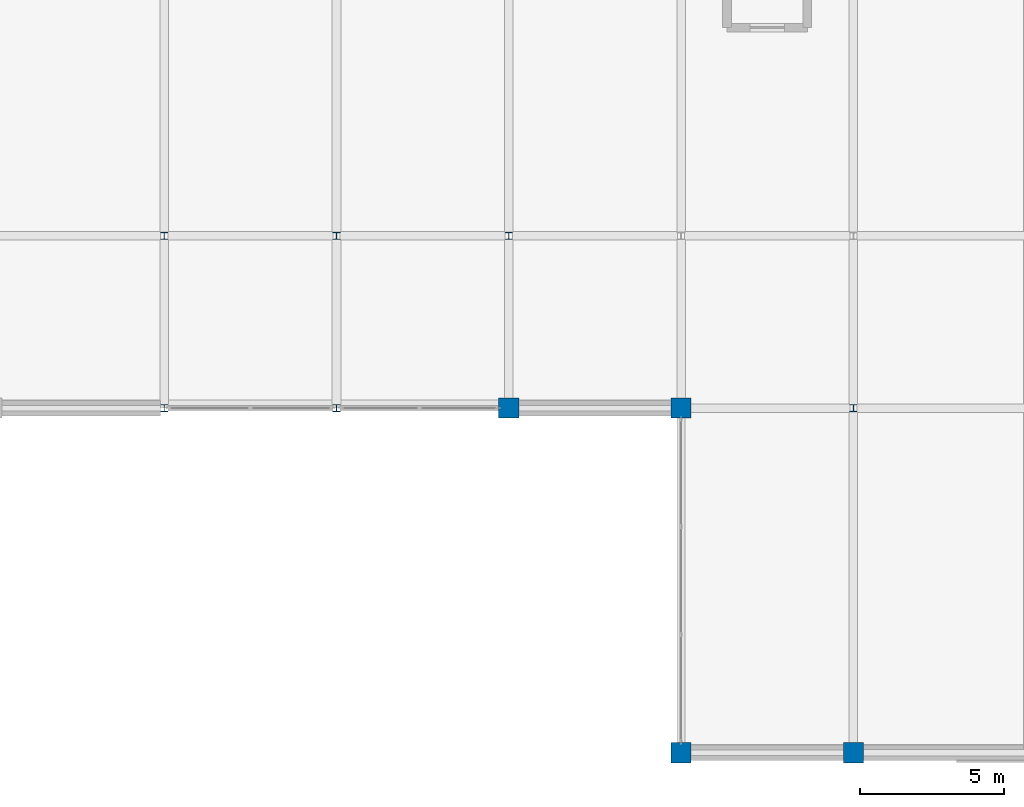
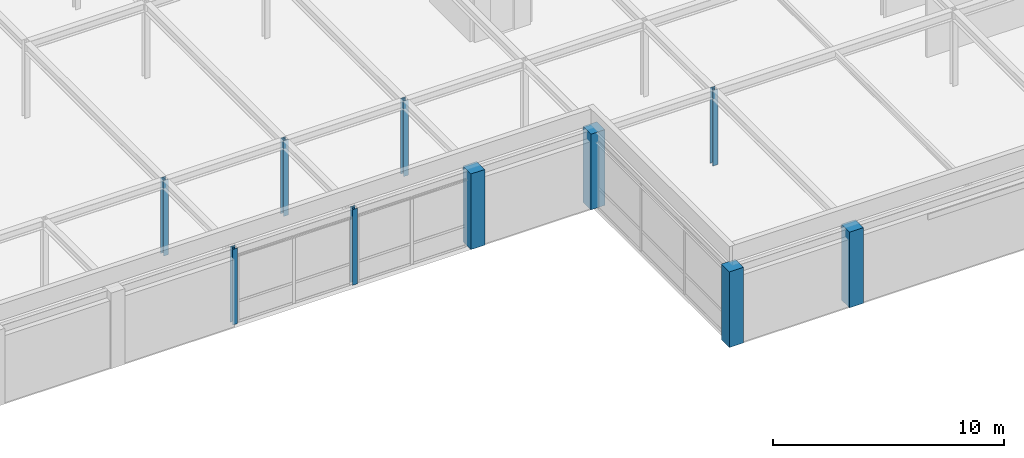
# One storey, part 8 of 111: 10 columns.
"""IFC4 building model written with IfcOpenShell, lengths in metres."""

from ifc_helpers import new_model, si_unit, direction, frame, origin, origin_2d, place, context, subcontext, project, spatial, rectangle, i_section, extrude, material, material_profile, profile_set, type_object, element, save


model = new_model("IFC4")

# Units and contexts
model_context = context("Model", 3, precision=1e-05, world=origin(), true_north=direction((0.0, 1.0)))
body_context = subcontext(model_context, "Body", "Model", "MODEL_VIEW")
ifc_project = project(units=[si_unit("LENGTHUNIT", "METRE"), si_unit("AREAUNIT", "SQUARE_METRE"), si_unit("VOLUMEUNIT", "CUBIC_METRE"), si_unit("PLANEANGLEUNIT", "RADIAN"), si_unit("MASSUNIT", "GRAM", prefix="KILO")], contexts=[model_context])

# Site, building, storey
site_placement = place(None, origin())
site = spatial("IfcSite", under=ifc_project, at=site_placement, CompositionType="ELEMENT")
building_placement = place(site_placement, origin())
building = spatial("IfcBuilding", under=site, at=building_placement, Name="Zlatovratsky Civic Hall", CompositionType="ELEMENT")
storey_placement = place(building_placement, frame((0.0, 0.0, 16.5)))
storey = spatial("IfcBuildingStorey", under=building, at=storey_placement, Name="L04", CompositionType="ELEMENT", Elevation=16.5)

# Columns
ifc_material_1 = material(Name="Concrete C35/45 (B40)", Category="concrete")
ifc_material_profile_1 = material_profile(ifc_material_1, rectangle(XDim=0.699951171875, YDim=0.699951171875, at=origin_2d()), Name="RC 700x700")
ifc_profile_set_1 = profile_set([ifc_material_profile_1], Name="Concrete C35/45 (B40)")
column_type_1 = type_object("IfcColumnType", Name="Col_CorePier_RC700", PredefinedType="COLUMN", material=ifc_profile_set_1)
for number, where, z_axis, x_axis, name in (
    (1, (114.0, 0.0, 0.0), (0.0, 0.0, 1.0), (1.0, 0.0, 0.0), "CL-1558"),
    (2, (120.0, 0.0, 0.0), (0.0, 0.0, 1.0), (1.0, 0.0, 0.0), "CL-1559"),
    (3, (108.0, 12.0, 0.0), (0.0, 0.0, 1.0), (1.0, 0.0, 0.0), "CL-1580"),
    (4, (114.0, 12.0, 0.0), (0.0, 0.0, 1.0), (1.0, 0.0, 0.0), "CL-1581"),
):
    element("IfcColumn", number, at=place(storey_placement, frame(where, z_axis=z_axis, x_axis=x_axis)), inside=storey, type_object=column_type_1, Name=name, PredefinedType="COLUMN", context=body_context, shape_type="SweptSolid", body=[
        extrude(rectangle(XDim=0.699951171875, YDim=0.699951171875, at=origin_2d()), origin(), (0.0, 0.0, 1.0), 4.0),
    ])
ifc_material_2 = material(Name="Steel S355", Category="steel")
ifc_material_profile_2 = material_profile(ifc_material_2, i_section(OverallWidth=0.25, OverallDepth=0.25, WebThickness=0.009033203125, FlangeThickness=0.013916015625, FilletRadius=0.01611328125, at=origin_2d()), Name="25K2")
ifc_profile_set_2 = profile_set([ifc_material_profile_2], Name="Steel S355")
column_type_2 = type_object("IfcColumnType", Name="Col_Steel_25K2", PredefinedType="COLUMN", material=ifc_profile_set_2)
for number, where, z_axis, x_axis, name in (
    (5, (96.0, 12.0, 0.0), (0.0, 0.0, 1.0), (1.0, 0.0, 0.0), "CL-1578"),
    (6, (102.0, 12.0, 0.0), (0.0, 0.0, 1.0), (1.0, 0.0, 0.0), "CL-1579"),
    (7, (120.0, 12.0, 0.0), (0.0, 0.0, 1.0), (1.0, 0.0, 0.0), "CL-1582"),
    (8, (96.0, 18.0, 0.0), (0.0, 0.0, 1.0), (1.0, 0.0, 0.0), "CL-1601"),
    (9, (102.0, 18.0, 0.0), (0.0, 0.0, 1.0), (1.0, 0.0, 0.0), "CL-1602"),
    (10, (108.0, 18.0, 0.0), (0.0, 0.0, 1.0), (1.0, 0.0, 0.0), "CL-1603"),
):
    element("IfcColumn", number, at=place(storey_placement, frame(where, z_axis=z_axis, x_axis=x_axis)), inside=storey, type_object=column_type_2, Name=name, PredefinedType="COLUMN", context=body_context, shape_type="SweptSolid", body=[
        extrude(i_section(OverallWidth=0.25, OverallDepth=0.25, WebThickness=0.009033203125, FlangeThickness=0.013916015625, FilletRadius=0.01611328125, at=origin_2d()), origin(), (0.0, 0.0, 1.0), 4.0),
    ])

save(model, "model.ifc")
